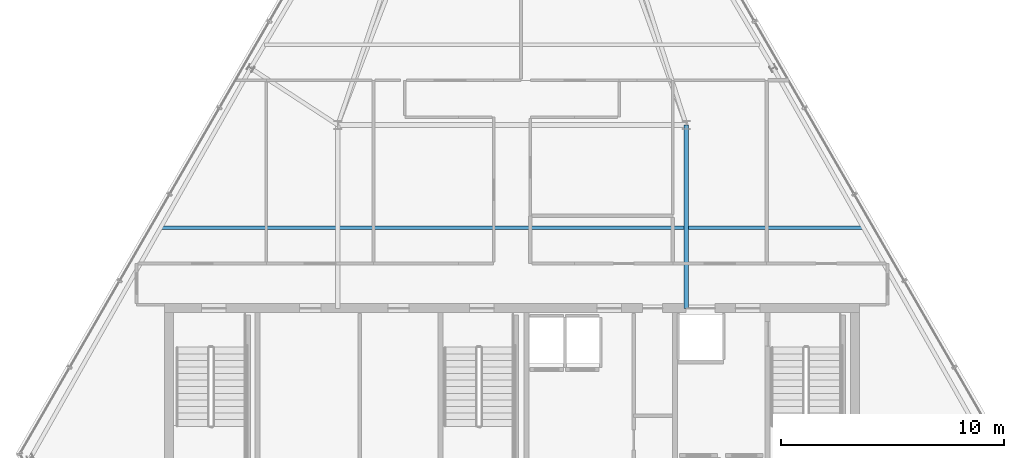
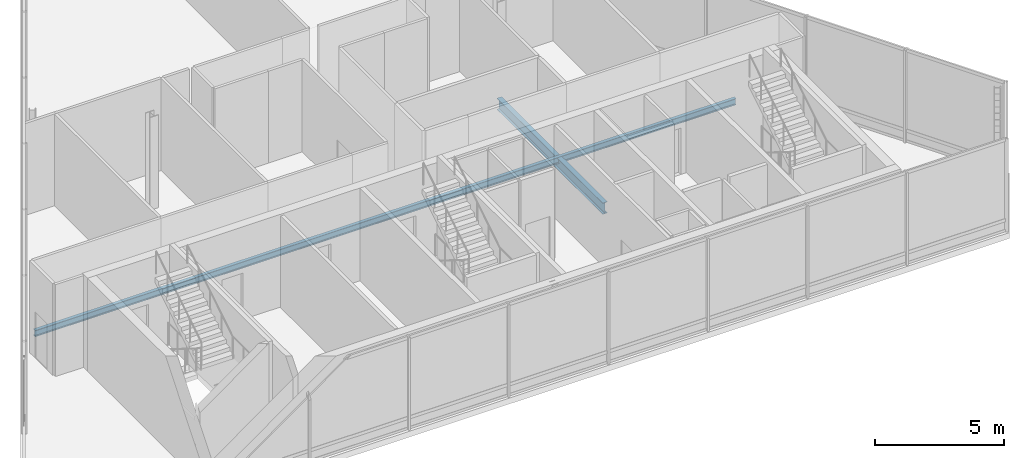
# One storey, part 8 of 25: 2 beams.
"""IFC4 building model written with IfcOpenShell, lengths in metres."""

from ifc_helpers import new_model, si_unit, direction, frame, origin, origin_2d, place, context, subcontext, project, spatial, i_section, extrude, material, material_profile, profile_set, type_object, element, save


model = new_model("IFC4")

# Units and contexts
model_context = context("Model", 3, precision=1e-05, world=origin(), true_north=direction((0.0, 1.0)))
body_context = subcontext(model_context, "Body", "Model", "MODEL_VIEW")
ifc_project = project(units=[si_unit("LENGTHUNIT", "METRE"), si_unit("AREAUNIT", "SQUARE_METRE"), si_unit("VOLUMEUNIT", "CUBIC_METRE"), si_unit("PLANEANGLEUNIT", "RADIAN"), si_unit("MASSUNIT", "GRAM", prefix="KILO")], contexts=[model_context])

# Site, building, storey
site_placement = place(None, origin())
site = spatial("IfcSite", under=ifc_project, at=site_placement, CompositionType="ELEMENT")
building_placement = place(site_placement, origin())
building = spatial("IfcBuilding", under=site, at=building_placement, Name="Ndaravel Arena Tower", CompositionType="ELEMENT")
storey_placement = place(building_placement, frame((0.0, 0.0, 303.300048828125)))
storey = spatial("IfcBuildingStorey", under=building, at=storey_placement, Name="L74", CompositionType="ELEMENT", Elevation=303.300048828125)

# Beams
ifc_material_1 = material(Name="Steel S355", Category="steel")
ifc_material_profile_1 = material_profile(ifc_material_1, i_section(OverallWidth=0.210693359375, OverallDepth=0.53955078125, WebThickness=0.01171875, FlangeThickness=0.018798828125, FilletRadius=0.0126953125, at=origin_2d()), Name="UB 533x210x109")
ifc_profile_set_1 = profile_set([ifc_material_profile_1], Name="Steel S355")
beam_type_1 = type_object("IfcBeamType", Name="BM-GIRD-UB533", PredefinedType="BEAM", material=ifc_profile_set_1)
beam_1_placement = place(storey_placement, frame((49.800048828125, 14.97998046875, -0.5498046875), z_axis=(0.0, 1.0, 0.0), x_axis=(-1.0, 0.0, 0.0)))
element("IfcBeam", 1, at=beam_1_placement, inside=storey, type_object=beam_type_1, Name="L74 Spine Link Girder SLG-02", PredefinedType="BEAM", context=body_context, shape_type="SweptSolid", body=[
    extrude(i_section(OverallWidth=0.210693359375, OverallDepth=0.53955078125, WebThickness=0.01171875, FlangeThickness=0.018798828125, FilletRadius=0.0126953125, at=origin_2d()), origin(), (0.0, 0.0, 1.0), 8.219970703125),
])
ifc_material_2 = material(Name="Steel S355", Category="steel")
ifc_material_profile_2 = material_profile(ifc_material_2, i_section(OverallWidth=0.14990234375, OverallDepth=0.300048828125, WebThickness=0.007080078125, FlangeThickness=0.0107421875, FilletRadius=0.014892578125, at=origin_2d()), Name="IPE 300")
ifc_profile_set_2 = profile_set([ifc_material_profile_2], Name="Steel S355")
beam_type_2 = type_object("IfcBeamType", Name="BM-JOIST-IPE300", PredefinedType="JOIST", material=ifc_profile_set_2)
beam_2_placement = place(storey_placement, frame((26.26318359375, 18.60009765625, -0.429931640625), z_axis=(1.0, 0.0, 0.0), x_axis=(0.0, 1.0, 0.0)))
element("IfcBeam", 2, at=beam_2_placement, inside=storey, type_object=beam_type_2, Name="L74 Composite Floor Joist FJ-01", PredefinedType="JOIST", context=body_context, shape_type="SweptSolid", body=[
    extrude(i_section(OverallWidth=0.14990234375, OverallDepth=0.300048828125, WebThickness=0.007080078125, FlangeThickness=0.0107421875, FilletRadius=0.014892578125, at=origin_2d()), origin(), (0.0, 0.0, 1.0), 31.4736328125),
])

save(model, "model.ifc")
